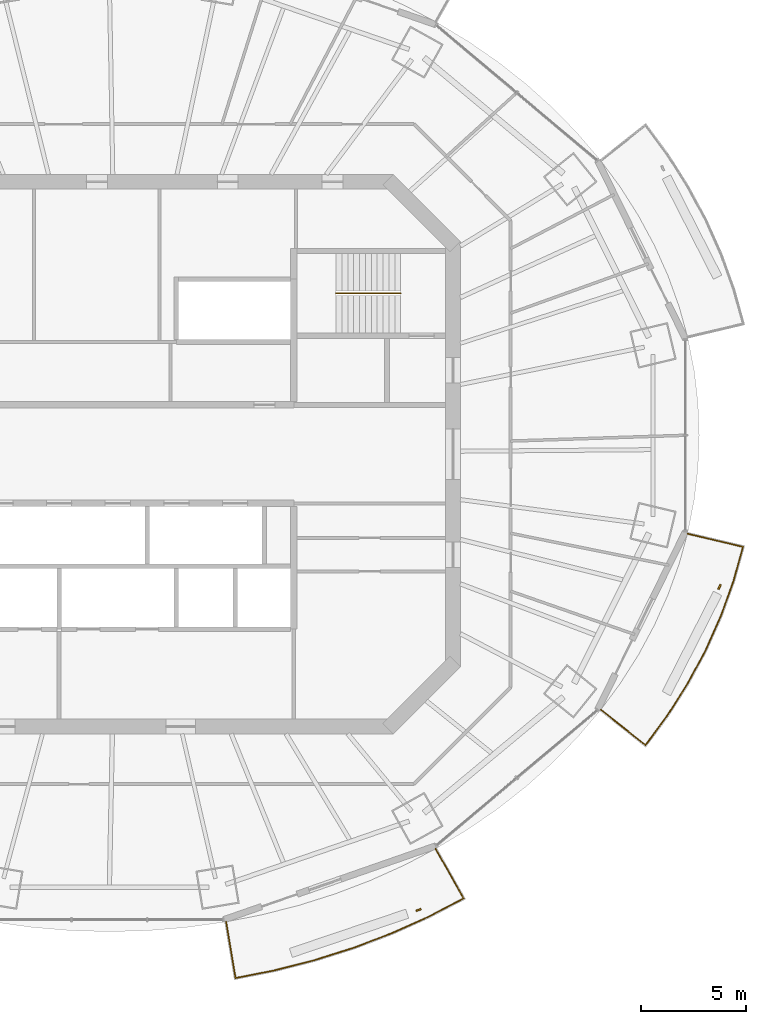
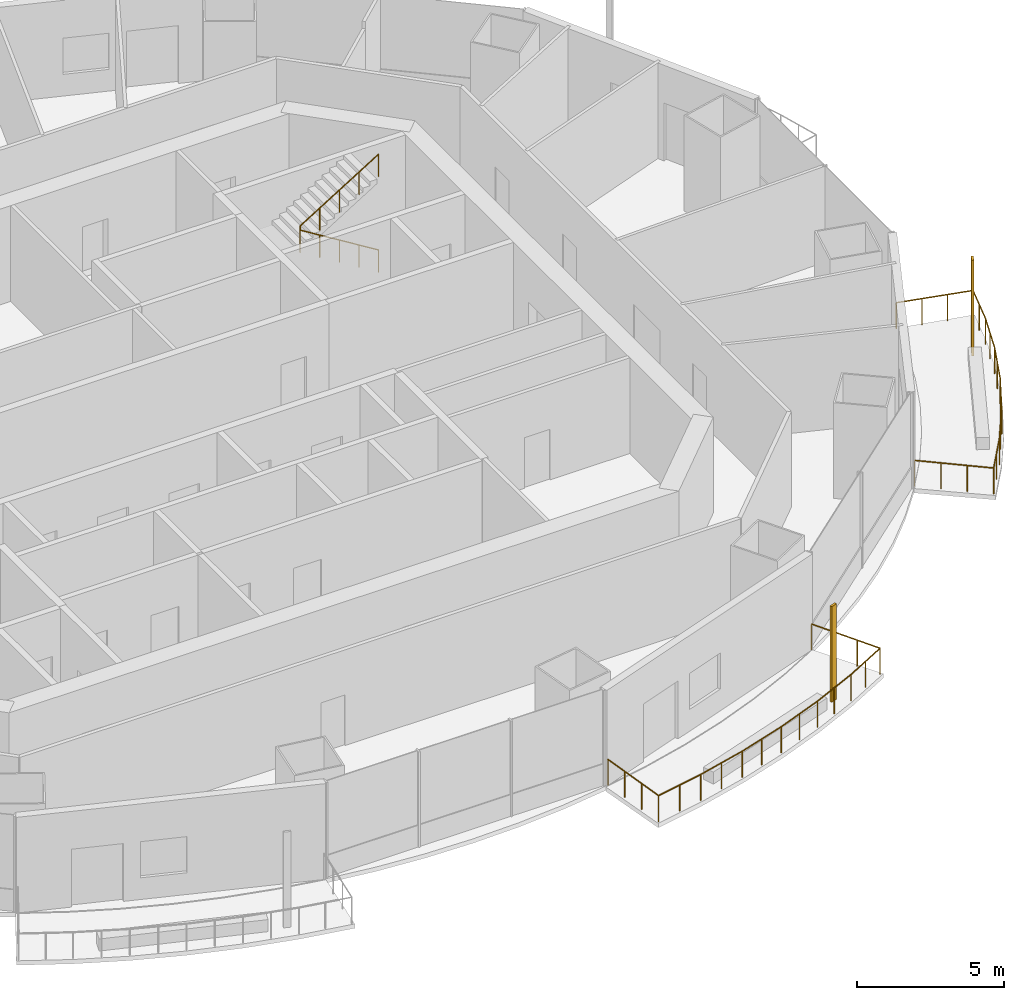
# One storey, part 13 of 16: 3 railings, 2 shading devices.
"""IFC4 building model written with IfcOpenShell, lengths in metres."""

from ifc_helpers import new_model, si_unit, direction, frame, origin, origin_2d, place, context, subcontext, project, spatial, rectangle, circle, extrude, material, material_profile, profile_set, type_object, element, save


model = new_model("IFC4")

# Units and contexts
model_context = context("Model", 3, precision=1e-05, world=origin(), true_north=direction((0.0, 1.0)))
body_context = subcontext(model_context, "Body", "Model", "MODEL_VIEW")
ifc_project = project(units=[si_unit("LENGTHUNIT", "METRE"), si_unit("AREAUNIT", "SQUARE_METRE"), si_unit("VOLUMEUNIT", "CUBIC_METRE"), si_unit("PLANEANGLEUNIT", "RADIAN"), si_unit("MASSUNIT", "GRAM", prefix="KILO")], contexts=[model_context])

# Site, building, storey
site_placement = place(None, origin())
site = spatial("IfcSite", under=ifc_project, at=site_placement, CompositionType="ELEMENT")
building_placement = place(site_placement, origin())
building = spatial("IfcBuilding", under=site, at=building_placement, Name="Marenthal Gate Tower", CompositionType="ELEMENT")
storey_placement = place(building_placement, frame((0.0, 0.0, 313.550048828125)))
storey = spatial("IfcBuildingStorey", under=building, at=storey_placement, Name="L70", CompositionType="ELEMENT", Elevation=313.550048828125)

# Railings
ifc_material_1 = material(Name="Stainless steel", Category="steel")
railing_type_1 = type_object("IfcRailingType", Name="Balcony guard 1100", PredefinedType="GUARDRAIL", material=ifc_material_1)
railing_1_placement = place(storey_placement, frame((15.171875, -18.83837890625, 0.0)))
element("IfcRailing", 1, at=railing_1_placement, inside=storey, type_object=railing_type_1, Name="Balcony guard L70 bay 13", PredefinedType="GUARDRAIL", context=body_context, shape_type="SweptSolid", body=[
    extrude(circle(Radius=0.02392578125, at=origin_2d()), frame((0.0, 0.0, 1.076171875), z_axis=(0.490391346697, -0.871378035337, -0.014718920362), x_axis=(0.871472441229, 0.490444476143, 0.0)), (0.0, 0.0, 1.0), 2.72021484375),
    extrude(circle(Radius=0.02392578125, at=origin_2d()), frame((1.333984375, -2.370361328125, 1.0361328125), z_axis=(-0.88661074156, -0.462516370467, 0.0), x_axis=(0.462516370467, -0.88661074156, 0.0)), (0.0, 0.0, 1.0), 1.84912109375),
    extrude(circle(Radius=0.02392578125, at=origin_2d()), frame((-0.305419921875, -3.2255859375, 1.0361328125), z_axis=(-0.911961495796, -0.410275797709, 0.0), x_axis=(0.410275797709, -0.911961495796, 0.0)), (0.0, 0.0, 1.0), 1.941650390625),
    extrude(circle(Radius=0.02392578125, at=origin_2d()), frame((-2.076171875, -4.022216796875, 1.0361328125), z_axis=(-0.934353071851, -0.3563486174, 0.0), x_axis=(0.3563486174, -0.934353071851, 0.0)), (0.0, 0.0, 1.0), 1.953857421875),
    extrude(circle(Radius=0.02392578125, at=origin_2d()), frame((-3.90185546875, -4.718505859375, 1.0361328125), z_axis=(-0.953336263061, -0.301910532331, 0.0), x_axis=(0.301910532331, -0.953336263061, 0.0)), (0.0, 0.0, 1.0), 1.964111328125),
    extrude(circle(Radius=0.02392578125, at=origin_2d()), frame((-5.7744140625, -5.3115234375, 1.0361328125), z_axis=(-0.968929698625, -0.247336287518, 0.0), x_axis=(0.247336287518, -0.968929698625, 0.0)), (0.0, 0.0, 1.0), 1.97314453125),
    extrude(circle(Radius=0.02392578125, at=origin_2d()), frame((-7.686279296875, -5.799560546875, 1.0361328125), z_axis=(-0.981061826101, -0.193694846002, 0.0), x_axis=(0.193694846002, -0.981061826101, 0.0)), (0.0, 0.0, 1.0), 1.900634765625),
    extrude(circle(Radius=0.02392578125, at=origin_2d()), frame((-9.551025390625, -6.167724609375, 1.0361328125), z_axis=(-0.165225230724, 0.986146026723, 0.014718597414), x_axis=(-0.986252861995, -0.165243130591, 0.0)), (0.0, 0.0, 1.0), 2.72021484375),
    extrude(circle(Radius=0.02099609375, at=origin_2d()), origin(), (0.0, 0.0, 1.0), 1.052001953125),
    extrude(circle(Radius=0.02099609375, at=origin_2d()), frame((0.444580078125, -0.7900390625, -0.013427734375)), (0.0, 0.0, 1.0), 1.052001953125),
    extrude(circle(Radius=0.02099609375, at=origin_2d()), frame((0.889404296875, -1.580322265625, -0.026611328125)), (0.0, 0.0, 1.0), 1.052001953125),
    extrude(circle(Radius=0.02099609375, at=origin_2d()), frame((1.333984375, -2.370361328125, -0.0400390625)), (0.0, 0.0, 1.0), 1.052001953125),
    extrude(circle(Radius=0.02099609375, at=origin_2d()), frame((0.51416015625, -2.7978515625, -0.0400390625)), (0.0, 0.0, 1.0), 1.052001953125),
    extrude(circle(Radius=0.02099609375, at=origin_2d()), frame((-0.305419921875, -3.2255859375, -0.0400390625)), (0.0, 0.0, 1.0), 1.052001953125),
    extrude(circle(Radius=0.02099609375, at=origin_2d()), frame((-1.19091796875, -3.6240234375, -0.0400390625)), (0.0, 0.0, 1.0), 1.052001953125),
    extrude(circle(Radius=0.02099609375, at=origin_2d()), frame((-2.076171875, -4.022216796875, -0.0400390625)), (0.0, 0.0, 1.0), 1.052001953125),
    extrude(circle(Radius=0.02099609375, at=origin_2d()), frame((-2.989013671875, -4.370361328125, -0.0400390625)), (0.0, 0.0, 1.0), 1.052001953125),
    extrude(circle(Radius=0.02099609375, at=origin_2d()), frame((-3.90185546875, -4.718505859375, -0.0400390625)), (0.0, 0.0, 1.0), 1.052001953125),
    extrude(circle(Radius=0.02099609375, at=origin_2d()), frame((-4.838134765625, -5.01513671875, -0.0400390625)), (0.0, 0.0, 1.0), 1.052001953125),
    extrude(circle(Radius=0.02099609375, at=origin_2d()), frame((-5.7744140625, -5.3115234375, -0.0400390625)), (0.0, 0.0, 1.0), 1.052001953125),
    extrude(circle(Radius=0.02099609375, at=origin_2d()), frame((-6.73046875, -5.5556640625, -0.0400390625)), (0.0, 0.0, 1.0), 1.052001953125),
    extrude(circle(Radius=0.02099609375, at=origin_2d()), frame((-7.686279296875, -5.799560546875, -0.0400390625)), (0.0, 0.0, 1.0), 1.052001953125),
    extrude(circle(Radius=0.02099609375, at=origin_2d()), frame((-8.61865234375, -5.983642578125, -0.0400390625)), (0.0, 0.0, 1.0), 1.052001953125),
    extrude(circle(Radius=0.02099609375, at=origin_2d()), frame((-9.551025390625, -6.167724609375, -0.0400390625)), (0.0, 0.0, 1.0), 1.052001953125),
    extrude(circle(Radius=0.02099609375, at=origin_2d()), frame((-9.700927734375, -5.2734375, -0.026611328125)), (0.0, 0.0, 1.0), 1.052001953125),
    extrude(circle(Radius=0.02099609375, at=origin_2d()), frame((-9.8505859375, -4.37939453125, -0.013427734375)), (0.0, 0.0, 1.0), 1.052001953125),
    extrude(circle(Radius=0.02099609375, at=origin_2d()), frame((-10.00048828125, -3.485107421875, 0.0)), (0.0, 0.0, 1.0), 1.052001953125),
])
railing_2_placement = place(storey_placement, frame((27.194580078125, -3.800048828125, 0.0)))
element("IfcRailing", 2, at=railing_2_placement, inside=storey, type_object=railing_type_1, Name="Balcony guard L70 bay 15", PredefinedType="GUARDRAIL", context=body_context, shape_type="SweptSolid", body=[
    extrude(circle(Radius=0.02392578125, at=origin_2d()), frame((0.0, 0.0, 1.076171875), z_axis=(0.973137241572, -0.229754803876, -0.014718667123), x_axis=(0.229779694864, 0.97324266852, 0.0)), (0.0, 0.0, 1.0), 2.72021484375),
    extrude(circle(Radius=0.02392578125, at=origin_2d()), frame((2.647216796875, -0.625, 1.0361328125), z_axis=(-0.268699441424, -0.963224070598, 0.0), x_axis=(0.963224070598, -0.268699441424, 0.0)), (0.0, 0.0, 1.0), 1.693603515625),
    extrude(circle(Radius=0.02392578125, at=origin_2d()), frame((2.192138671875, -2.25634765625, 1.0361328125), z_axis=(-0.339078586837, -0.940758051759, 0.0), x_axis=(0.940758051759, -0.339078586837, 0.0)), (0.0, 0.0, 1.0), 1.78125),
    extrude(circle(Radius=0.02392578125, at=origin_2d()), frame((1.588134765625, -3.93212890625, 1.0361328125), z_axis=(-0.408237493427, -0.91287575768, 0.0), x_axis=(0.91287575768, -0.408237493427, 0.0)), (0.0, 0.0, 1.0), 1.79052734375),
    extrude(circle(Radius=0.02392578125, at=origin_2d()), frame((0.857177734375, -5.566650390625, 1.0361328125), z_axis=(-0.473954337588, -0.880549422736, 0.0), x_axis=(0.880549422736, -0.473954337588, 0.0)), (0.0, 0.0, 1.0), 1.80126953125),
    extrude(circle(Radius=0.02392578125, at=origin_2d()), frame((0.00341796875, -7.15283203125, 1.0361328125), z_axis=(-0.536108654335, -0.844148986108, 0.0), x_axis=(0.844148986108, -0.536108654335, 0.0)), (0.0, 0.0, 1.0), 1.8134765625),
    extrude(circle(Radius=0.02392578125, at=origin_2d()), frame((-0.96875, -8.68359375, 1.0361328125), z_axis=(-0.592955892539, -0.805234940563, 0.0), x_axis=(0.805234940563, -0.592955892539, 0.0)), (0.0, 0.0, 1.0), 1.7470703125),
    extrude(circle(Radius=0.02392578125, at=origin_2d()), frame((-2.004638671875, -10.09033203125, 1.0361328125), z_axis=(-0.783369120747, 0.621382494221, 0.014717898477), x_axis=(-0.621449806018, -0.783453979886, 0.0)), (0.0, 0.0, 1.0), 2.720458984375),
    extrude(circle(Radius=0.02099609375, at=origin_2d()), origin(), (0.0, 0.0, 1.0), 1.052001953125),
    extrude(circle(Radius=0.02099609375, at=origin_2d()), frame((0.88232421875, -0.208251953125, -0.013427734375)), (0.0, 0.0, 1.0), 1.052001953125),
    extrude(circle(Radius=0.02099609375, at=origin_2d()), frame((1.764892578125, -0.416748046875, -0.026611328125)), (0.0, 0.0, 1.0), 1.052001953125),
    extrude(circle(Radius=0.02099609375, at=origin_2d()), frame((2.647216796875, -0.625, -0.0400390625)), (0.0, 0.0, 1.0), 1.052001953125),
    extrude(circle(Radius=0.02099609375, at=origin_2d()), frame((2.419677734375, -1.440673828125, -0.0400390625)), (0.0, 0.0, 1.0), 1.052001953125),
    extrude(circle(Radius=0.02099609375, at=origin_2d()), frame((2.192138671875, -2.25634765625, -0.0400390625)), (0.0, 0.0, 1.0), 1.052001953125),
    extrude(circle(Radius=0.02099609375, at=origin_2d()), frame((1.89013671875, -3.09423828125, -0.0400390625)), (0.0, 0.0, 1.0), 1.052001953125),
    extrude(circle(Radius=0.02099609375, at=origin_2d()), frame((1.588134765625, -3.93212890625, -0.0400390625)), (0.0, 0.0, 1.0), 1.052001953125),
    extrude(circle(Radius=0.02099609375, at=origin_2d()), frame((1.22265625, -4.74951171875, -0.0400390625)), (0.0, 0.0, 1.0), 1.052001953125),
    extrude(circle(Radius=0.02099609375, at=origin_2d()), frame((0.857177734375, -5.566650390625, -0.0400390625)), (0.0, 0.0, 1.0), 1.052001953125),
    extrude(circle(Radius=0.02099609375, at=origin_2d()), frame((0.43017578125, -6.35986328125, -0.0400390625)), (0.0, 0.0, 1.0), 1.052001953125),
    extrude(circle(Radius=0.02099609375, at=origin_2d()), frame((0.00341796875, -7.15283203125, -0.0400390625)), (0.0, 0.0, 1.0), 1.052001953125),
    extrude(circle(Radius=0.02099609375, at=origin_2d()), frame((-0.482666015625, -7.918212890625, -0.0400390625)), (0.0, 0.0, 1.0), 1.052001953125),
    extrude(circle(Radius=0.02099609375, at=origin_2d()), frame((-0.96875, -8.68359375, -0.0400390625)), (0.0, 0.0, 1.0), 1.052001953125),
    extrude(circle(Radius=0.02099609375, at=origin_2d()), frame((-1.48681640625, -9.386962890625, -0.0400390625)), (0.0, 0.0, 1.0), 1.052001953125),
    extrude(circle(Radius=0.02099609375, at=origin_2d()), frame((-2.004638671875, -10.09033203125, -0.0400390625)), (0.0, 0.0, 1.0), 1.052001953125),
    extrude(circle(Radius=0.02099609375, at=origin_2d()), frame((-2.715087890625, -9.52685546875, -0.026611328125)), (0.0, 0.0, 1.0), 1.052001953125),
    extrude(circle(Radius=0.02099609375, at=origin_2d()), frame((-3.42529296875, -8.96337890625, -0.013427734375)), (0.0, 0.0, 1.0), 1.052001953125),
    extrude(circle(Radius=0.02099609375, at=origin_2d()), frame((-4.1357421875, -8.39990234375, 0.0)), (0.0, 0.0, 1.0), 1.052001953125),
])
ifc_material_2 = material(Name="Stainless steel", Category="steel")
railing_type_2 = type_object("IfcRailingType", Name="Stair handrail", PredefinedType="HANDRAIL", material=ifc_material_2)
railing_3_placement = place(storey_placement, frame((13.5, 7.675048828125, 0.1728515625)))
element("IfcRailing", 3, at=railing_3_placement, inside=storey, type_object=railing_type_2, Name="Handrail ST3", PredefinedType="HANDRAIL", context=body_context, shape_type="SweptSolid", body=[
    extrude(circle(Radius=0.0224609375, at=origin_2d()), frame((0.0, 0.0, 0.927490234375), z_axis=(-0.850835241893, 0.0, 0.525432575268), x_axis=(0.0, -1.0, 0.0)), (0.0, 0.0, 1.0), 3.6201171875),
    extrude(circle(Radius=0.0224609375, at=origin_2d()), frame((-3.080078125, 0.0, 2.82958984375), z_axis=(0.0, 0.0, 1.0), x_axis=(1.0, 0.0, 0.0)), (0.0, 0.0, 1.0), 0.1728515625),
    extrude(circle(Radius=0.0224609375, at=origin_2d()), frame((-3.080078125, 0.0, 3.00244140625), z_axis=(0.850835241893, 0.0, 0.525432575268), x_axis=(0.0, 1.0, 0.0)), (0.0, 0.0, 1.0), 3.6201171875),
    extrude(circle(Radius=0.02001953125, at=origin_2d()), origin(), (0.0, 0.0, 1.0), 0.905029296875),
    extrude(circle(Radius=0.02001953125, at=origin_2d()), frame((-0.77001953125, 0.0, 0.4755859375)), (0.0, 0.0, 1.0), 0.905029296875),
    extrude(circle(Radius=0.02001953125, at=origin_2d()), frame((-1.5400390625, 0.0, 0.951171875)), (0.0, 0.0, 1.0), 0.905029296875),
    extrude(circle(Radius=0.02001953125, at=origin_2d()), frame((-2.31005859375, 0.0, 1.426513671875)), (0.0, 0.0, 1.0), 0.905029296875),
    extrude(circle(Radius=0.02001953125, at=origin_2d()), frame((-3.080078125, 0.0, 1.902099609375)), (0.0, 0.0, 1.0), 0.905029296875),
    extrude(circle(Radius=0.02001953125, at=origin_2d()), frame((-3.080078125, 0.0, 2.074951171875)), (0.0, 0.0, 1.0), 0.905029296875),
    extrude(circle(Radius=0.02001953125, at=origin_2d()), frame((-2.31005859375, 0.0, 2.550537109375)), (0.0, 0.0, 1.0), 0.905029296875),
    extrude(circle(Radius=0.02001953125, at=origin_2d()), frame((-1.5400390625, 0.0, 3.02587890625)), (0.0, 0.0, 1.0), 0.905029296875),
    extrude(circle(Radius=0.02001953125, at=origin_2d()), frame((-0.77001953125, 0.0, 3.50146484375)), (0.0, 0.0, 1.0), 0.905029296875),
    extrude(circle(Radius=0.02001953125, at=origin_2d()), frame((0.0, 0.0, 3.97705078125)), (0.0, 0.0, 1.0), 0.905029296875),
])

# Shading devices
ifc_material_3 = material(Name="Terracotta", Category="masonry")
ifc_material_profile = material_profile(ifc_material_3, rectangle(XDim=0.25, YDim=0.080078125, at=origin_2d()), Name="Terracotta baguette 250x80")
ifc_profile_set = profile_set([ifc_material_profile], Name="Terracotta")
shading_device_type = type_object("IfcShadingDeviceType", Name="Terracotta BAGUETTE SCREEN 250x80", PredefinedType="USERDEFINED", material=ifc_profile_set)
for number, where, z_axis, x_axis, name in (
    (4, (14.3564453125, -21.756103515625, -0.0400390625), (0.0, 0.0, 1.0), (0.944249095616, 0.329231902203, 0.0), "Terracotta BAGUETTE L70 bay 13R"),
    (5, (28.719970703125, -6.337158203125, -0.0400390625), (0.0, 0.0, 1.0), (0.441517596382, 0.897252591016, 0.0), "Terracotta BAGUETTE L70 bay 15R"),
):
    element("IfcShadingDevice", number, at=place(storey_placement, frame(where, z_axis=z_axis, x_axis=x_axis)), inside=storey, type_object=shading_device_type, Name=name, ObjectType="BAGUETTE SCREEN", PredefinedType="USERDEFINED", context=body_context, shape_type="SweptSolid", body=[
        extrude(rectangle(XDim=0.25, YDim=0.080078125, at=origin_2d()), origin(), (0.0, 0.0, 1.0), 3.969970703125),
    ])

save(model, "model.ifc")
